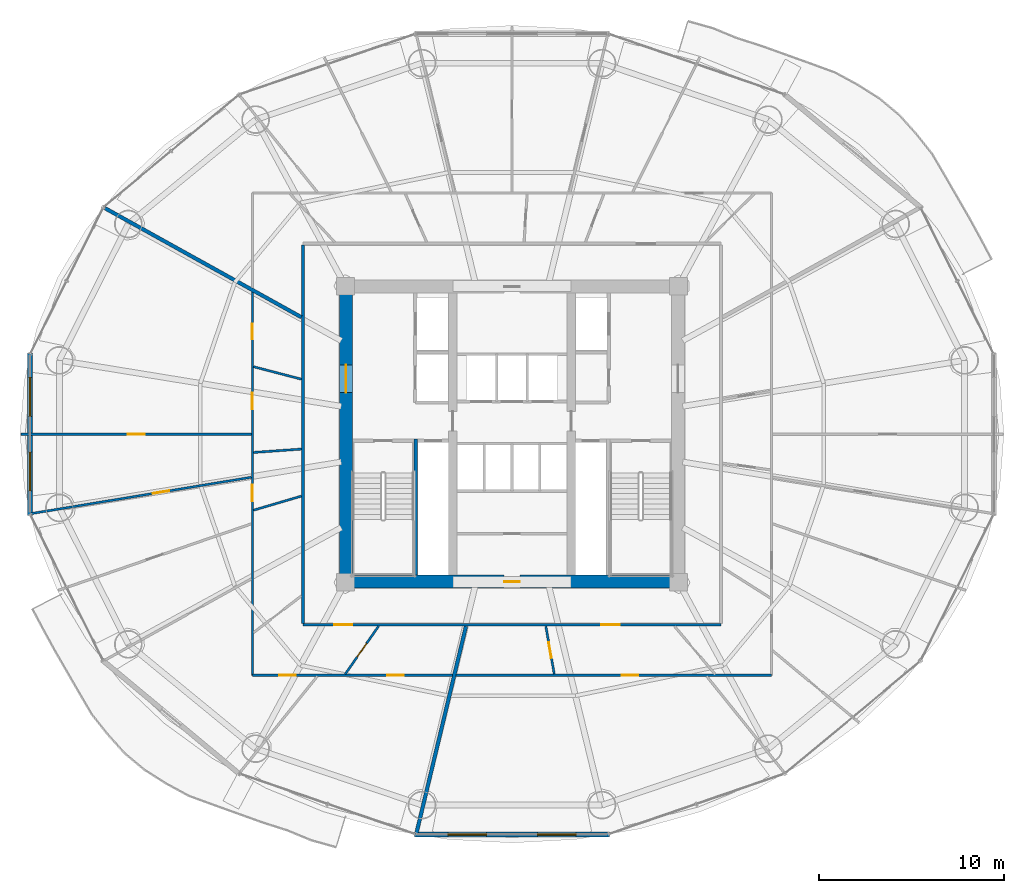
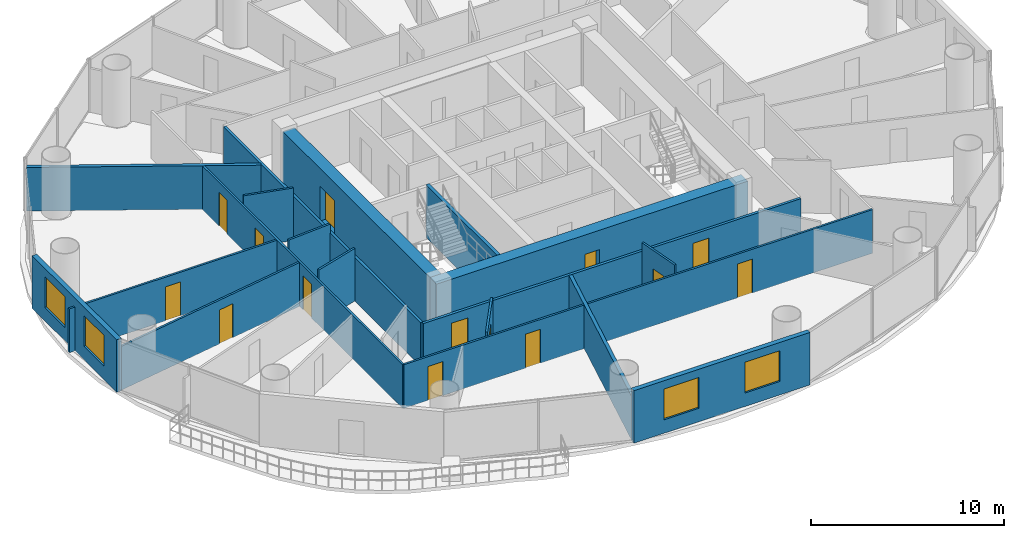
# One storey, part 22 of 29: 19 walls, 14 doors, 4 windows, 18 openings.
"""IFC4 building model written with IfcOpenShell, lengths in metres."""

from ifc_helpers import new_model, si_unit, direction, frame, frame_2d, origin, place, context, subcontext, project, spatial, rectangle, extrude, source, transform, mapped, material, layer, layer_set, type_object, element, fill, save


model = new_model("IFC4")

# Units and contexts
model_context = context("Model", 3, precision=1e-05, world=origin(), true_north=direction((-0.2419218956, 0.970295726276)))
body_context = subcontext(model_context, "Body", "Model", "MODEL_VIEW")
ifc_project = project(units=[si_unit("LENGTHUNIT", "METRE"), si_unit("AREAUNIT", "SQUARE_METRE"), si_unit("VOLUMEUNIT", "CUBIC_METRE"), si_unit("PLANEANGLEUNIT", "RADIAN"), si_unit("MASSUNIT", "GRAM", prefix="KILO")], contexts=[model_context])

# Site, building, storey
site_placement = place(None, origin())
site = spatial("IfcSite", under=ifc_project, at=site_placement, CompositionType="ELEMENT")
building_placement = place(site_placement, origin())
building = spatial("IfcBuilding", under=site, at=building_placement, Name="Cobrevalo Terracotta Tower", CompositionType="ELEMENT")
storey_placement = place(building_placement, frame((0.0, 0.0, 94.199951171875)))
storey = spatial("IfcBuildingStorey", under=building, at=storey_placement, Name="L24", CompositionType="ELEMENT", Elevation=94.199951171875)

# Wall, opening, door
ifc_material_1 = material(Name="Concrete C60", Category="concrete")
ifc_layer_1 = layer(ifc_material_1, 0.699951171875)
ifc_layer_set_1 = layer_set([ifc_layer_1], Name="Concrete C60")
wall_type_1 = type_object("IfcWallType", Name="Core shear wall 700 mm Concrete C60", PredefinedType="SHEAR", material=ifc_layer_set_1)
wall_1_placement = place(storey_placement, frame((28.675048828125, 18.824951171875, 0.0), z_axis=(0.0, 0.0, 1.0), x_axis=(1.0, 0.0, 0.0)))
wall_1 = element("IfcWall", 1, at=wall_1_placement, inside=storey, type_object=wall_type_1, Name="L24 south core shear wall", PredefinedType="SHEAR", context=body_context, shape_type="SweptSolid", body=[
    extrude(rectangle(XDim=18.64990234375, YDim=0.699951171875, at=frame_2d((9.324951171875, 0.0))), origin(), (0.0, 0.0, 1.0), 3.324951171875),
])
opening_1_placement = place(wall_1_placement, frame((8.89990234375, 0.0, 0.0)))
opening_1 = element("IfcOpeningElement", 2, at=opening_1_placement, cuts=wall_1, Name="Opening ID-22", PredefinedType="OPENING", context=body_context, shape_type="SweptSolid", body=[
    extrude(rectangle(XDim=0.85009765625, YDim=2.10009765625, at=frame_2d((0.425048828125, 1.050048828125))), frame((0.0, 0.35986328125, 0.0), z_axis=(0.0, -1.0, 0.0), x_axis=(1.0, 0.0, 0.0)), (0.0, 0.0, 1.0), 0.719970703125),
])
ifc_material_2 = material(Name="Powder-coated steel", Category="steel")
door_type_1 = type_object("IfcDoorType", Name="Riser shaft & meter closet fire access door 850x2100 EI 60", OperationType="NOTDEFINED", PredefinedType="DOOR", material=ifc_material_2)
shared_shape_1 = source(origin(), body_context, "Body", "SweptSolid", [
    extrude(rectangle(XDim=0.85009765625, YDim=2.10009765625, at=frame_2d((0.425048828125, 1.050048828125))), frame((0.0, 0.02490234375, 0.0), z_axis=(0.0, -1.0, 0.0), x_axis=(1.0, 0.0, 0.0)), (0.0, 0.0, 1.0), 0.050048828125),
])
door_1_placement = place(opening_1_placement, origin())
door_1 = element("IfcDoor", 3, at=door_1_placement, inside=storey, type_object=door_type_1, Name="L24 core south plant door Smoke Extract Fan Plant", OperationType="SINGLE_SWING_RIGHT", OverallHeight=2.10009765625, OverallWidth=0.85009765625, PredefinedType="DOOR", context=body_context, shape_type="MappedRepresentation", body=[
    mapped(shared_shape_1, transform((0.0, 0.0, 0.0), scale=1.0)),
])
fill(opening_1, door_1)

wall_2_placement = place(storey_placement, frame((29.02490234375, 19.175048828125, 0.0), z_axis=(0.0, 0.0, 1.0), x_axis=(0.0, 1.0, 0.0)))
wall_2 = element("IfcWall", 4, at=wall_2_placement, inside=storey, type_object=wall_type_1, Name="L24 west core shear wall", PredefinedType="SHEAR", context=body_context, shape_type="SweptSolid", body=[
    extrude(rectangle(XDim=15.25, YDim=0.699951171875, at=frame_2d((7.625, 0.0))), origin(), (0.0, 0.0, 1.0), 3.324951171875),
])
opening_2_placement = place(wall_2_placement, frame((9.875, 0.0, 0.0)))
opening_2 = element("IfcOpeningElement", 5, at=opening_2_placement, cuts=wall_2, Name="Opening ID-14", PredefinedType="OPENING", context=body_context, shape_type="SweptSolid", body=[
    extrude(rectangle(XDim=1.5, YDim=2.199951171875, at=frame_2d((0.75, 1.10009765625))), frame((0.0, 0.35986328125, 0.0), z_axis=(0.0, -1.0, 0.0), x_axis=(1.0, 0.0, 0.0)), (0.0, 0.0, 1.0), 0.719970703125),
])
ifc_material_3 = material(Name="Galvanized fire-rated steel", Category="steel")
door_type_2 = type_object("IfcDoorType", Name="Core cross-lobby double fire door 1500x2200 EI 90", OperationType="NOTDEFINED", PredefinedType="DOOR", material=ifc_material_3)
shared_shape_2 = source(origin(), body_context, "Body", "SweptSolid", [
    extrude(rectangle(XDim=1.5, YDim=2.199951171875, at=frame_2d((0.75, 1.10009765625))), frame((0.0, 0.02490234375, 0.0), z_axis=(0.0, -1.0, 0.0), x_axis=(1.0, 0.0, 0.0)), (0.0, 0.0, 1.0), 0.050048828125),
])
door_2_placement = place(opening_2_placement, origin())
door_2 = element("IfcDoor", 6, at=door_2_placement, inside=storey, type_object=door_type_2, Name="L24 west firefighting lobby entrance door", OperationType="DOUBLE_DOOR_SINGLE_SWING", OverallHeight=2.199951171875, OverallWidth=1.5, PredefinedType="DOOR", context=body_context, shape_type="MappedRepresentation", body=[
    mapped(shared_shape_2, transform((0.0, 0.0, 0.0), scale=1.0)),
])
fill(opening_2, door_2)

# Wall, openings, doors
ifc_material_4 = material(Name="Gypsum board on steel stud", Category="steel")
ifc_layer_2 = layer(ifc_material_4, 0.159912109375)
ifc_layer_set_2 = layer_set([ifc_layer_2], Name="Gypsum board on steel stud")
wall_type_2 = type_object("IfcWallType", Name="Fire-rated corridor acoustic partition wall 160 mm", PredefinedType="PARTITIONING", material=ifc_layer_set_2)
wall_3_placement = place(storey_placement, frame((26.695068359375, 16.4951171875, 0.0), z_axis=(0.0, 0.0, 1.0), x_axis=(1.0, 0.0, 0.0)))
wall_3 = element("IfcWall", 7, at=wall_3_placement, inside=storey, type_object=wall_type_2, Name="L24 interior partition IW-L24-COR-S", PredefinedType="PARTITIONING", context=body_context, shape_type="SweptSolid", body=[
    extrude(rectangle(XDim=22.60986328125, YDim=0.159912109375, at=frame_2d((11.304931640625, 0.0))), origin(), (0.0, 0.0, 1.0), 2.76708984375),
])
opening_3_placement = place(wall_3_placement, frame((1.688232421875, 0.0, 0.0)))
opening_3 = element("IfcOpeningElement", 8, at=opening_3_placement, cuts=wall_3, Name="Opening ID-05", PredefinedType="OPENING", context=body_context, shape_type="SweptSolid", body=[
    extrude(rectangle(XDim=0.97998046875, YDim=2.199951171875, at=frame_2d((0.489990234375, 1.10009765625))), frame((0.0, 0.08984375, 0.0), z_axis=(0.0, -1.0, 0.0), x_axis=(1.0, 0.0, 0.0)), (0.0, 0.0, 1.0), 0.179931640625),
])
opening_4_placement = place(wall_3_placement, frame((16.137451171875, 0.0, 0.0)))
opening_4 = element("IfcOpeningElement", 9, at=opening_4_placement, cuts=wall_3, Name="Opening ID-05", PredefinedType="OPENING", context=body_context, shape_type="SweptSolid", body=[
    extrude(rectangle(XDim=0.97998046875, YDim=2.199951171875, at=frame_2d((0.489990234375, 1.10009765625))), frame((0.0, 0.08984375, 0.0), z_axis=(0.0, -1.0, 0.0), x_axis=(1.0, 0.0, 0.0)), (0.0, 0.0, 1.0), 0.179931640625),
])
ifc_material_5 = material(Name="Solid hardwood timber", Category="wood")
door_type_3 = type_object("IfcDoorType", Name="Residence entrance fire-rated acoustic timber door 980x2200 EI 60", OperationType="NOTDEFINED", PredefinedType="DOOR", material=ifc_material_5)
shared_shape_3 = source(origin(), body_context, "Body", "SweptSolid", [
    extrude(rectangle(XDim=0.97998046875, YDim=2.199951171875, at=frame_2d((0.489990234375, 1.10009765625))), frame((0.0, 0.02490234375, 0.0), z_axis=(0.0, -1.0, 0.0), x_axis=(1.0, 0.0, 0.0)), (0.0, 0.0, 1.0), 0.050048828125),
])
door_3_placement = place(opening_3_placement, frame((0.97998046875, 0.0, 0.0), z_axis=(0.0, 0.0, 1.0), x_axis=(-1.0, 0.0, 0.0)))
door_3 = element("IfcDoor", 10, at=door_3_placement, inside=storey, type_object=door_type_3, Name="Flat L24B fire-rated apartment entrance door", OperationType="SINGLE_SWING_LEFT", OverallHeight=2.199951171875, OverallWidth=0.97998046875, PredefinedType="DOOR", context=body_context, shape_type="MappedRepresentation", body=[
    mapped(shared_shape_3, transform((0.0, 0.0, 0.0), scale=1.0)),
])
fill(opening_3, door_3)
door_4_placement = place(opening_4_placement, frame((0.97998046875, 0.0, 0.0), z_axis=(0.0, 0.0, 1.0), x_axis=(-1.0, 0.0, 0.0)))
door_4 = element("IfcDoor", 11, at=door_4_placement, inside=storey, type_object=door_type_3, Name="Flat L24C fire-rated apartment entrance door", OperationType="SINGLE_SWING_LEFT", OverallHeight=2.199951171875, OverallWidth=0.97998046875, PredefinedType="DOOR", context=body_context, shape_type="MappedRepresentation", body=[
    mapped(shared_shape_3, transform((0.0, 0.0, 0.0), scale=1.0)),
])
fill(opening_4, door_4)

# Walls
wall_4_placement = place(storey_placement, frame((26.695068359375, 16.574951171875, 0.0), z_axis=(0.0, 0.0, 1.0), x_axis=(0.0, 1.0, 0.0)))
element("IfcWall", 12, at=wall_4_placement, inside=storey, type_object=wall_type_2, Name="L24 interior partition IW-L24-COR-W", PredefinedType="PARTITIONING", context=body_context, shape_type="SweptSolid", body=[
    extrude(rectangle(XDim=20.449951171875, YDim=0.159912109375, at=frame_2d((10.22509765625, 0.0))), origin(), (0.0, 0.0, 1.0), 2.76708984375),
])
ifc_material_6 = material(Name="Autoclaved aerated concrete block", Category="concrete")
ifc_layer_3 = layer(ifc_material_6, 0.199951171875)
ifc_layer_set_3 = layer_set([ifc_layer_3], Name="Autoclaved aerated concrete block")
wall_type_3 = type_object("IfcWallType", Name="Fire-rated stair, shaft & demising masonry wall 200 mm", PredefinedType="PARTITIONING", material=ifc_layer_set_3)
wall_5_placement = place(storey_placement, frame((26.614990234375, 33.120361328125, 0.0), z_axis=(0.0, 0.0, 1.0), x_axis=(-0.874319192772, 0.485351366692, 0.0)))
element("IfcWall", 13, at=wall_5_placement, inside=storey, type_object=wall_type_3, Name="L24 interior partition IW-L24-DEM-2", PredefinedType="PARTITIONING", context=body_context, shape_type="SweptSolid", body=[
    extrude(rectangle(XDim=12.158447265625, YDim=0.199951171875, at=frame_2d((6.0791015625, 0.0))), origin(), (0.0, 0.0, 1.0), 2.76708984375),
])
wall_6_placement = place(storey_placement, frame((35.513671875, 16.4150390625, 0.0), z_axis=(0.0, 0.0, 1.0), x_axis=(-0.232829417917, -0.972517589636, 0.0)))
element("IfcWall", 14, at=wall_6_placement, inside=storey, type_object=wall_type_3, Name="L24 interior partition IW-L24-DEM-3", PredefinedType="PARTITIONING", context=body_context, shape_type="SweptSolid", body=[
    extrude(rectangle(XDim=11.501953125, YDim=0.199951171875, at=frame_2d((5.7509765625, 0.0))), origin(), (0.0, 0.0, 1.0), 2.76708984375),
])

# Wall, openings, windows
ifc_layer_4 = layer(ifc_material_6, 0.280029296875)
ifc_layer_set_4 = layer_set([ifc_layer_4], Name="Autoclaved aerated concrete block")
wall_type_4 = type_object("IfcWallType", Name="Insulated tower spandrel & pier wall 280 mm with terracotta rainscreen", PredefinedType="SOLIDWALL", material=ifc_layer_set_4)
wall_7_placement = place(storey_placement, frame((11.9404296875, 31.185546875, 0.0), z_axis=(0.0, 0.0, 1.0), x_axis=(0.0, -1.0, 0.0)))
wall_7 = element("IfcWall", 15, at=wall_7_placement, inside=storey, type_object=wall_type_4, Name="L24 terracotta rainscreen pier wall S08", PredefinedType="SOLIDWALL", context=body_context, shape_type="SweptSolid", body=[
    extrude(rectangle(XDim=8.771240234375, YDim=0.280029296875, at=frame_2d((4.3857421875, 0.0))), origin(), (0.0, 0.0, 1.0), 3.324951171875),
])
opening_5_placement = place(wall_7_placement, frame((1.318115234375, 0.0, 0.85009765625)))
opening_5 = element("IfcOpeningElement", 16, at=opening_5_placement, cuts=wall_7, Name="Opening WN-10", PredefinedType="OPENING", context=body_context, shape_type="SweptSolid", body=[
    extrude(rectangle(XDim=2.10009765625, YDim=1.949951171875, at=frame_2d((1.050048828125, 0.97509765625))), frame((0.0, 0.14990234375, 0.0), z_axis=(0.0, -1.0, 0.0), x_axis=(1.0, 0.0, 0.0)), (0.0, 0.0, 1.0), 0.300048828125),
])
opening_6_placement = place(wall_7_placement, frame((5.35302734375, 0.0, 0.85009765625)))
opening_6 = element("IfcOpeningElement", 17, at=opening_6_placement, cuts=wall_7, Name="Opening WN-10", PredefinedType="OPENING", context=body_context, shape_type="SweptSolid", body=[
    extrude(rectangle(XDim=2.10009765625, YDim=1.949951171875, at=frame_2d((1.050048828125, 0.97509765625))), frame((0.0, 0.14990234375, 0.0), z_axis=(0.0, -1.0, 0.0), x_axis=(1.0, 0.0, 0.0)), (0.0, 0.0, 1.0), 0.300048828125),
])
ifc_material_7 = material(Name="Solar-control low-E double glazing", Category="glass")
window_type = type_object("IfcWindowType", Name="Wide panoramic low-E aluminium window 2100x1950", PartitioningType="SINGLE_PANEL", PredefinedType="WINDOW", material=ifc_material_7)
shared_shape_4 = source(origin(), body_context, "Body", "SweptSolid", [
    extrude(rectangle(XDim=2.10009765625, YDim=1.949951171875, at=frame_2d((1.050048828125, 0.97509765625))), frame((0.0, 0.030029296875, 0.0), z_axis=(0.0, -1.0, 0.0), x_axis=(1.0, 0.0, 0.0)), (0.0, 0.0, 1.0), 0.06005859375),
])
window_1_placement = place(opening_5_placement, origin())
window_1 = element("IfcWindow", 18, at=window_1_placement, inside=storey, type_object=window_type, Name="L24 suite window S08A", OverallHeight=1.949951171875, OverallWidth=2.10009765625, PartitioningType="SINGLE_PANEL", PredefinedType="WINDOW", context=body_context, shape_type="MappedRepresentation", body=[
    mapped(shared_shape_4, transform((0.0, 0.0, 0.0), scale=1.0)),
])
fill(opening_5, window_1)
window_2_placement = place(opening_6_placement, origin())
window_2 = element("IfcWindow", 19, at=window_2_placement, inside=storey, type_object=window_type, Name="L24 suite window S08B", OverallHeight=1.949951171875, OverallWidth=2.10009765625, PartitioningType="SINGLE_PANEL", PredefinedType="WINDOW", context=body_context, shape_type="MappedRepresentation", body=[
    mapped(shared_shape_4, transform((0.0, 0.0, 0.0), scale=1.0)),
])
fill(opening_6, window_2)

wall_8_placement = place(storey_placement, frame((32.736328125, 5.154052734375, 0.0), z_axis=(0.0, 0.0, 1.0), x_axis=(1.0, 0.0, 0.0)))
wall_8 = element("IfcWall", 20, at=wall_8_placement, inside=storey, type_object=wall_type_4, Name="L24 terracotta rainscreen pier wall S12", PredefinedType="SOLIDWALL", context=body_context, shape_type="SweptSolid", body=[
    extrude(rectangle(XDim=10.52734375, YDim=0.280029296875, at=frame_2d((5.263671875, 0.0))), origin(), (0.0, 0.0, 1.0), 3.324951171875),
])
opening_7_placement = place(wall_8_placement, frame((1.792236328125, 0.0, 0.85009765625)))
opening_7 = element("IfcOpeningElement", 21, at=opening_7_placement, cuts=wall_8, Name="Opening WN-10", PredefinedType="OPENING", context=body_context, shape_type="SweptSolid", body=[
    extrude(rectangle(XDim=2.10009765625, YDim=1.949951171875, at=frame_2d((1.050048828125, 0.97509765625))), frame((0.0, 0.14990234375, 0.0), z_axis=(0.0, -1.0, 0.0), x_axis=(1.0, 0.0, 0.0)), (0.0, 0.0, 1.0), 0.300048828125),
])
opening_8_placement = place(wall_8_placement, frame((6.634765625, 0.0, 0.85009765625)))
opening_8 = element("IfcOpeningElement", 22, at=opening_8_placement, cuts=wall_8, Name="Opening WN-10", PredefinedType="OPENING", context=body_context, shape_type="SweptSolid", body=[
    extrude(rectangle(XDim=2.10009765625, YDim=1.949951171875, at=frame_2d((1.050048828125, 0.97509765625))), frame((0.0, 0.14990234375, 0.0), z_axis=(0.0, -1.0, 0.0), x_axis=(1.0, 0.0, 0.0)), (0.0, 0.0, 1.0), 0.300048828125),
])
window_3_placement = place(opening_7_placement, origin())
window_3 = element("IfcWindow", 23, at=window_3_placement, inside=storey, type_object=window_type, Name="L24 suite window S12A", OverallHeight=1.949951171875, OverallWidth=2.10009765625, PartitioningType="SINGLE_PANEL", PredefinedType="WINDOW", context=body_context, shape_type="MappedRepresentation", body=[
    mapped(shared_shape_4, transform((0.0, 0.0, 0.0), scale=1.0)),
])
fill(opening_7, window_3)
window_4_placement = place(opening_8_placement, origin())
window_4 = element("IfcWindow", 24, at=window_4_placement, inside=storey, type_object=window_type, Name="L24 suite window S12B", OverallHeight=1.949951171875, OverallWidth=2.10009765625, PartitioningType="SINGLE_PANEL", PredefinedType="WINDOW", context=body_context, shape_type="MappedRepresentation", body=[
    mapped(shared_shape_4, transform((0.0, 0.0, 0.0), scale=1.0)),
])
fill(opening_8, window_4)

# Wall, openings, doors
ifc_layer_5 = layer(ifc_material_4, 0.1201171875)
ifc_layer_set_5 = layer_set([ifc_layer_5], Name="Gypsum board on steel stud")
wall_type_5 = type_object("IfcWallType", Name="Residential internal acoustic stud partition 120 mm", PredefinedType="PARTITIONING", material=ifc_layer_set_5)
wall_9_placement = place(storey_placement, frame((34.77734375, 13.764892578125, 0.0), z_axis=(0.0, 0.0, 1.0), x_axis=(-1.0, 0.0, 0.0)))
wall_9 = element("IfcWall", 25, at=wall_9_placement, inside=storey, type_object=wall_type_5, Name="L24 interior partition IW-L24-U2-RING0_0", PredefinedType="PARTITIONING", context=body_context, shape_type="SweptSolid", body=[
    extrude(rectangle(XDim=10.812255859375, YDim=0.1201171875, at=frame_2d((5.40625, 0.0))), origin(), (0.0, 0.0, 1.0), 2.76708984375),
])
opening_9_placement = place(wall_9_placement, frame((8.46630859375, 0.0, 0.0)))
opening_9 = element("IfcOpeningElement", 26, at=opening_9_placement, cuts=wall_9, Name="Opening ID-12", PredefinedType="OPENING", context=body_context, shape_type="SweptSolid", body=[
    extrude(rectangle(XDim=0.89990234375, YDim=2.14990234375, at=frame_2d((0.449951171875, 1.074951171875))), frame((0.0, 0.070068359375, 0.0), z_axis=(0.0, -1.0, 0.0), x_axis=(1.0, 0.0, 0.0)), (0.0, 0.0, 1.0), 0.14013671875),
])
opening_10_placement = place(wall_9_placement, frame((2.627685546875, 0.0, 0.0)))
opening_10 = element("IfcOpeningElement", 27, at=opening_10_placement, cuts=wall_9, Name="Opening ID-12", PredefinedType="OPENING", context=body_context, shape_type="SweptSolid", body=[
    extrude(rectangle(XDim=0.89990234375, YDim=2.14990234375, at=frame_2d((0.449951171875, 1.074951171875))), frame((0.0, 0.070068359375, 0.0), z_axis=(0.0, -1.0, 0.0), x_axis=(1.0, 0.0, 0.0)), (0.0, 0.0, 1.0), 0.14013671875),
])
ifc_material_8 = material(Name="Engineered timber", Category="wood")
door_type_4 = type_object("IfcDoorType", Name="Internal residence & suite timber door 900x2150", OperationType="NOTDEFINED", PredefinedType="DOOR", material=ifc_material_8)
shared_shape_5 = source(origin(), body_context, "Body", "SweptSolid", [
    extrude(rectangle(XDim=0.89990234375, YDim=2.14990234375, at=frame_2d((0.449951171875, 1.074951171875))), frame((0.0, 0.02490234375, 0.0), z_axis=(0.0, -1.0, 0.0), x_axis=(1.0, 0.0, 0.0)), (0.0, 0.0, 1.0), 0.050048828125),
])
door_5_placement = place(opening_9_placement, frame((0.89990234375, 0.0, 0.0), z_axis=(0.0, 0.0, 1.0), x_axis=(-1.0, 0.0, 0.0)))
door_5 = element("IfcDoor", 28, at=door_5_placement, inside=storey, type_object=door_type_4, Name="Flat L24B Penthouse Family Lounge internal door", OperationType="SINGLE_SWING_RIGHT", OverallHeight=2.14990234375, OverallWidth=0.89990234375, PredefinedType="DOOR", context=body_context, shape_type="MappedRepresentation", body=[
    mapped(shared_shape_5, transform((0.0, 0.0, 0.0), scale=1.0)),
])
fill(opening_9, door_5)
door_6_placement = place(opening_10_placement, origin())
door_6 = element("IfcDoor", 29, at=door_6_placement, inside=storey, type_object=door_type_4, Name="Flat L24B Penthouse Family Lounge internal door", OperationType="SINGLE_SWING_LEFT", OverallHeight=2.14990234375, OverallWidth=0.89990234375, PredefinedType="DOOR", context=body_context, shape_type="MappedRepresentation", body=[
    mapped(shared_shape_5, transform((0.0, 0.0, 0.0), scale=1.0)),
])
fill(opening_10, door_6)

wall_10_placement = place(storey_placement, frame((23.965087890625, 13.764892578125, 0.0), z_axis=(0.0, 0.0, 1.0), x_axis=(0.0, 1.0, 0.0)))
wall_10 = element("IfcWall", 30, at=wall_10_placement, inside=storey, type_object=wall_type_5, Name="L24 interior partition IW-L24-U2-RING1_0", PredefinedType="PARTITIONING", context=body_context, shape_type="SweptSolid", body=[
    extrude(rectangle(XDim=20.724609375, YDim=0.1201171875, at=frame_2d((10.3623046875, 0.0))), origin(), (0.0, 0.0, 1.0), 2.76708984375),
])
opening_11_placement = place(wall_10_placement, frame((9.400634765625, 0.0, 0.0)))
opening_11 = element("IfcOpeningElement", 31, at=opening_11_placement, cuts=wall_10, Name="Opening ID-12", PredefinedType="OPENING", context=body_context, shape_type="SweptSolid", body=[
    extrude(rectangle(XDim=0.89990234375, YDim=2.14990234375, at=frame_2d((0.449951171875, 1.074951171875))), frame((0.0, 0.070068359375, 0.0), z_axis=(0.0, -1.0, 0.0), x_axis=(1.0, 0.0, 0.0)), (0.0, 0.0, 1.0), 0.14013671875),
])
opening_12_placement = place(wall_10_placement, frame((18.156982421875, 0.0, 0.0)))
opening_12 = element("IfcOpeningElement", 32, at=opening_12_placement, cuts=wall_10, Name="Opening ID-19", PredefinedType="OPENING", context=body_context, shape_type="SweptSolid", body=[
    extrude(rectangle(XDim=0.860107421875, YDim=2.14990234375, at=frame_2d((0.43017578125, 1.074951171875))), frame((0.0, 0.070068359375, 0.0), z_axis=(0.0, -1.0, 0.0), x_axis=(1.0, 0.0, 0.0)), (0.0, 0.0, 1.0), 0.14013671875),
])
opening_13_placement = place(wall_10_placement, frame((14.376220703125, 0.0, 0.0)))
opening_13 = element("IfcOpeningElement", 33, at=opening_13_placement, cuts=wall_10, Name="Opening ID-12", PredefinedType="OPENING", context=body_context, shape_type="SweptSolid", body=[
    extrude(rectangle(XDim=0.89990234375, YDim=2.14990234375, at=frame_2d((0.449951171875, 1.074951171875))), frame((0.0, 0.070068359375, 0.0), z_axis=(0.0, -1.0, 0.0), x_axis=(1.0, 0.0, 0.0)), (0.0, 0.0, 1.0), 0.14013671875),
])
ifc_material_9 = material(Name="Moisture-sealed timber", Category="wood")
door_type_5 = type_object("IfcDoorType", Name="Suite bathroom internal timber door 860x2150", OperationType="NOTDEFINED", PredefinedType="DOOR", material=ifc_material_9)
shared_shape_6 = source(origin(), body_context, "Body", "SweptSolid", [
    extrude(rectangle(XDim=0.860107421875, YDim=2.14990234375, at=frame_2d((0.43017578125, 1.074951171875))), frame((0.0, 0.02490234375, 0.0), z_axis=(0.0, -1.0, 0.0), x_axis=(1.0, 0.0, 0.0)), (0.0, 0.0, 1.0), 0.050048828125),
])
door_7_placement = place(opening_12_placement, frame((0.860107421875, 0.0, 0.0), z_axis=(0.0, 0.0, 1.0), x_axis=(-1.0, 0.0, 0.0)))
door_7 = element("IfcDoor", 34, at=door_7_placement, inside=storey, type_object=door_type_5, Name="Flat L24B Guest Bathroom internal door", OperationType="SINGLE_SWING_LEFT", OverallHeight=2.14990234375, OverallWidth=0.860107421875, PredefinedType="DOOR", context=body_context, shape_type="MappedRepresentation", body=[
    mapped(shared_shape_6, transform((0.0, 0.0, 0.0), scale=1.0)),
])
fill(opening_12, door_7)
door_8_placement = place(opening_11_placement, frame((0.89990234375, 0.0, 0.0), z_axis=(0.0, 0.0, 1.0), x_axis=(-1.0, 0.0, 0.0)))
door_8 = element("IfcDoor", 35, at=door_8_placement, inside=storey, type_object=door_type_4, Name="Flat L24B Utility Closet internal door", OperationType="SINGLE_SWING_RIGHT", OverallHeight=2.14990234375, OverallWidth=0.89990234375, PredefinedType="DOOR", context=body_context, shape_type="MappedRepresentation", body=[
    mapped(shared_shape_5, transform((0.0, 0.0, 0.0), scale=1.0)),
])
fill(opening_11, door_8)
door_9_placement = place(opening_13_placement, frame((0.89990234375, 0.0, 0.0), z_axis=(0.0, 0.0, 1.0), x_axis=(-1.0, 0.0, 0.0)))
door_9 = element("IfcDoor", 36, at=door_9_placement, inside=storey, type_object=door_type_4, Name="Flat L24B Private Wellness Room internal door", OperationType="SINGLE_SWING_RIGHT", OverallHeight=2.14990234375, OverallWidth=0.89990234375, PredefinedType="DOOR", context=body_context, shape_type="MappedRepresentation", body=[
    mapped(shared_shape_5, transform((0.0, 0.0, 0.0), scale=1.0)),
])
fill(opening_13, door_9)

# Wall, opening, door
wall_11_placement = place(storey_placement, frame((23.903076171875, 26.800048828125, 0.0), z_axis=(0.0, 0.0, 1.0), x_axis=(-1.0, 0.0, 0.0)))
wall_11 = element("IfcWall", 37, at=wall_11_placement, inside=storey, type_object=wall_type_5, Name="L24 interior partition IW-L24-U2-ORAD1", PredefinedType="PARTITIONING", context=body_context, shape_type="SweptSolid", body=[
    extrude(rectangle(XDim=12.443115234375, YDim=0.1201171875, at=frame_2d((6.2216796875, 0.0))), origin(), (0.0, 0.0, 1.0), 2.76708984375),
])
opening_14_placement = place(wall_11_placement, frame((5.771484375, 0.0, 0.0)))
opening_14 = element("IfcOpeningElement", 38, at=opening_14_placement, cuts=wall_11, Name="Opening ID-12", PredefinedType="OPENING", context=body_context, shape_type="SweptSolid", body=[
    extrude(rectangle(XDim=0.89990234375, YDim=2.14990234375, at=frame_2d((0.449951171875, 1.074951171875))), frame((0.0, 0.070068359375, 0.0), z_axis=(0.0, -1.0, 0.0), x_axis=(1.0, 0.0, 0.0)), (0.0, 0.0, 1.0), 0.14013671875),
])
door_10_placement = place(opening_14_placement, frame((0.89990234375, 0.0, 0.0), z_axis=(0.0, 0.0, 1.0), x_axis=(-1.0, 0.0, 0.0)))
door_10 = element("IfcDoor", 39, at=door_10_placement, inside=storey, type_object=door_type_4, Name="Flat L24B Penthouse Living and Dining Room internal door", OperationType="SINGLE_SWING_RIGHT", OverallHeight=2.14990234375, OverallWidth=0.89990234375, PredefinedType="DOOR", context=body_context, shape_type="MappedRepresentation", body=[
    mapped(shared_shape_5, transform((0.0, 0.0, 0.0), scale=1.0)),
])
fill(opening_14, door_10)

wall_12_placement = place(storey_placement, frame((23.90380859375, 24.470458984375, 0.0), z_axis=(0.0, 0.0, 1.0), x_axis=(-0.986618264768, -0.163047231274, 0.0)))
wall_12 = element("IfcWall", 40, at=wall_12_placement, inside=storey, type_object=wall_type_5, Name="L24 interior partition IW-L24-U2-ORAD2M1", PredefinedType="PARTITIONING", context=body_context, shape_type="SweptSolid", body=[
    extrude(rectangle(XDim=12.038818359375, YDim=0.1201171875, at=frame_2d((6.01953125, 0.0))), origin(), (0.0, 0.0, 1.0), 2.76708984375),
])
opening_15_placement = place(wall_12_placement, frame((4.495849609375, 0.0, 0.0)))
opening_15 = element("IfcOpeningElement", 41, at=opening_15_placement, cuts=wall_12, Name="Opening ID-12", PredefinedType="OPENING", context=body_context, shape_type="SweptSolid", body=[
    extrude(rectangle(XDim=0.89990234375, YDim=2.14990234375, at=frame_2d((0.449951171875, 1.074951171875))), frame((0.0, 0.070068359375, 0.0), z_axis=(0.0, -1.0, 0.0), x_axis=(1.0, 0.0, 0.0)), (0.0, 0.0, 1.0), 0.14013671875),
])
door_11_placement = place(opening_15_placement, frame((0.89990234375, 0.0, 0.0), z_axis=(0.0, 0.0, 1.0), x_axis=(-1.0, 0.0, 0.0)))
door_11 = element("IfcDoor", 42, at=door_11_placement, inside=storey, type_object=door_type_4, Name="Flat L24B Master Bedroom internal door", OperationType="SINGLE_SWING_LEFT", OverallHeight=2.14990234375, OverallWidth=0.89990234375, PredefinedType="DOOR", context=body_context, shape_type="MappedRepresentation", body=[
    mapped(shared_shape_5, transform((0.0, 0.0, 0.0), scale=1.0)),
])
fill(opening_15, door_11)

# Walls
wall_13_placement = place(storey_placement, frame((26.614990234375, 29.77099609375, 0.0), z_axis=(0.0, 0.0, 1.0), x_axis=(-0.967585302816, 0.252544415449, 0.0)))
element("IfcWall", 43, at=wall_13_placement, inside=storey, type_object=wall_type_5, Name="L24 interior partition IW-L24-U2-IRAD1", PredefinedType="PARTITIONING", context=body_context, shape_type="SweptSolid", body=[
    extrude(rectangle(XDim=2.6767578125, YDim=0.1201171875, at=frame_2d((1.33837890625, 0.0))), origin(), (0.0, 0.0, 1.0), 3.324951171875),
])
wall_14_placement = place(storey_placement, frame((26.614990234375, 25.9931640625, 0.0), z_axis=(0.0, 0.0, 1.0), x_axis=(-0.997500084777, -0.070665273433, 0.0)))
element("IfcWall", 44, at=wall_14_placement, inside=storey, type_object=wall_type_5, Name="L24 interior partition IW-L24-U2-IRAD2", PredefinedType="PARTITIONING", context=body_context, shape_type="SweptSolid", body=[
    extrude(rectangle(XDim=2.5947265625, YDim=0.1201171875, at=frame_2d((1.29736328125, 0.0))), origin(), (0.0, 0.0, 1.0), 3.324951171875),
])
wall_15_placement = place(storey_placement, frame((26.614990234375, 23.450439453125, 0.0), z_axis=(0.0, 0.0, 1.0), x_axis=(-0.959338143787, -0.282259323806, 0.0)))
element("IfcWall", 45, at=wall_15_placement, inside=storey, type_object=wall_type_5, Name="L24 interior partition IW-L24-U2-IRAD3", PredefinedType="PARTITIONING", context=body_context, shape_type="SweptSolid", body=[
    extrude(rectangle(XDim=2.700439453125, YDim=0.1201171875, at=frame_2d((1.35009765625, 0.0))), origin(), (0.0, 0.0, 1.0), 3.324951171875),
])

# Wall, opening, door
wall_16_placement = place(storey_placement, frame((30.783447265625, 16.4150390625, 0.0), z_axis=(0.0, 0.0, 1.0), x_axis=(-0.570653089326, -0.821191239385, 0.0)))
wall_16 = element("IfcWall", 46, at=wall_16_placement, inside=storey, type_object=wall_type_5, Name="L24 interior partition IW-L24-U2-IRAD5", PredefinedType="PARTITIONING", context=body_context, shape_type="SweptSolid", body=[
    extrude(rectangle(XDim=3.1650390625, YDim=0.1201171875, at=frame_2d((1.58251953125, 0.0))), origin(), (0.0, 0.0, 1.0), 3.004150390625),
])
opening_16_placement = place(wall_16_placement, frame((1.132568359375, 0.0, 0.0)))
opening_16 = element("IfcOpeningElement", 47, at=opening_16_placement, cuts=wall_16, Name="Opening ID-12", PredefinedType="OPENING", context=body_context, shape_type="SweptSolid", body=[
    extrude(rectangle(XDim=0.89990234375, YDim=2.14990234375, at=frame_2d((0.449951171875, 1.074951171875))), frame((0.0, 0.070068359375, 0.0), z_axis=(0.0, -1.0, 0.0), x_axis=(1.0, 0.0, 0.0)), (0.0, 0.0, 1.0), 0.14013671875),
])
door_12_placement = place(opening_16_placement, origin())
door_12 = element("IfcDoor", 48, at=door_12_placement, inside=storey, type_object=door_type_4, Name="Flat L24B Kitchen internal door", OperationType="SINGLE_SWING_LEFT", OverallHeight=2.14990234375, OverallWidth=0.89990234375, PredefinedType="DOOR", context=body_context, shape_type="MappedRepresentation", body=[
    mapped(shared_shape_5, transform((0.0, 0.0, 0.0), scale=1.0)),
])
fill(opening_16, door_12)

wall_17_placement = place(storey_placement, frame((52.034912109375, 13.764892578125, 0.0), z_axis=(0.0, 0.0, 1.0), x_axis=(-1.0, 0.0, 0.0)))
wall_17 = element("IfcWall", 49, at=wall_17_placement, inside=storey, type_object=wall_type_5, Name="L24 interior partition IW-L24-U3-RING1_0", PredefinedType="PARTITIONING", context=body_context, shape_type="SweptSolid", body=[
    extrude(rectangle(XDim=17.0537109375, YDim=0.1201171875, at=frame_2d((8.52685546875, 0.0))), origin(), (0.0, 0.0, 1.0), 2.76708984375),
])
opening_17_placement = place(wall_17_placement, frame((7.203369140625, 0.0, 0.0)))
opening_17 = element("IfcOpeningElement", 50, at=opening_17_placement, cuts=wall_17, Name="Opening ID-12", PredefinedType="OPENING", context=body_context, shape_type="SweptSolid", body=[
    extrude(rectangle(XDim=0.89990234375, YDim=2.14990234375, at=frame_2d((0.449951171875, 1.074951171875))), frame((0.0, 0.070068359375, 0.0), z_axis=(0.0, -1.0, 0.0), x_axis=(1.0, 0.0, 0.0)), (0.0, 0.0, 1.0), 0.14013671875),
])
door_13_placement = place(opening_17_placement, origin())
door_13 = element("IfcDoor", 51, at=door_13_placement, inside=storey, type_object=door_type_4, Name="Flat L24C Penthouse Living and Dining Room internal door", OperationType="SINGLE_SWING_LEFT", OverallHeight=2.14990234375, OverallWidth=0.89990234375, PredefinedType="DOOR", context=body_context, shape_type="MappedRepresentation", body=[
    mapped(shared_shape_5, transform((0.0, 0.0, 0.0), scale=1.0)),
])
fill(opening_17, door_13)

wall_18_placement = place(storey_placement, frame((39.8291015625, 16.4150390625, 0.0), z_axis=(0.0, 0.0, 1.0), x_axis=(0.173488627881, -0.984835872618, 0.0)))
wall_18 = element("IfcWall", 52, at=wall_18_placement, inside=storey, type_object=wall_type_5, Name="L24 interior partition IW-L24-U3-IRAD1", PredefinedType="PARTITIONING", context=body_context, shape_type="SweptSolid", body=[
    extrude(rectangle(XDim=2.628662109375, YDim=0.1201171875, at=frame_2d((1.314453125, 0.0))), origin(), (0.0, 0.0, 1.0), 3.324951171875),
])
opening_18_placement = place(wall_18_placement, frame((0.884521484375, 0.0, 0.0)))
opening_18 = element("IfcOpeningElement", 53, at=opening_18_placement, cuts=wall_18, Name="Opening ID-19", PredefinedType="OPENING", context=body_context, shape_type="SweptSolid", body=[
    extrude(rectangle(XDim=0.860107421875, YDim=2.14990234375, at=frame_2d((0.43017578125, 1.074951171875))), frame((0.0, 0.070068359375, 0.0), z_axis=(0.0, -1.0, 0.0), x_axis=(1.0, 0.0, 0.0)), (0.0, 0.0, 1.0), 0.14013671875),
])
door_14_placement = place(opening_18_placement, frame((0.860107421875, 0.0, 0.0), z_axis=(0.0, 0.0, 1.0), x_axis=(-1.0, 0.0, 0.0)))
door_14 = element("IfcDoor", 54, at=door_14_placement, inside=storey, type_object=door_type_5, Name="Flat L24C Primary Bathroom internal door", OperationType="SINGLE_SWING_RIGHT", OverallHeight=2.14990234375, OverallWidth=0.860107421875, PredefinedType="DOOR", context=body_context, shape_type="MappedRepresentation", body=[
    mapped(shared_shape_6, transform((0.0, 0.0, 0.0), scale=1.0)),
])
fill(opening_18, door_14)

# Wall
ifc_material_10 = material(Name="Concrete C50", Category="concrete")
ifc_layer_6 = layer(ifc_material_10, 0.199951171875)
ifc_layer_set_6 = layer_set([ifc_layer_6], Name="Concrete C50")
wall_type_6 = type_object("IfcWallType", Name="Structural core & podium stair-shaft RC wall 200 mm Concrete C50", PredefinedType="SOLIDWALL", material=ifc_layer_set_6)
wall_19_placement = place(storey_placement, frame((32.794921875, 19.175048828125, 0.0), z_axis=(0.0, 0.0, 1.0), x_axis=(0.0, 1.0, 0.0)))
element("IfcWall", 55, at=wall_19_placement, inside=storey, type_object=wall_type_6, Name="L24 ST-1 east structural shaft wall", PredefinedType="SOLIDWALL", context=body_context, shape_type="SweptSolid", body=[
    extrude(rectangle(XDim=7.375, YDim=0.199951171875, at=frame_2d((3.6875, 0.0))), origin(), (0.0, 0.0, 1.0), 3.324951171875),
])

save(model, "model.ifc")
